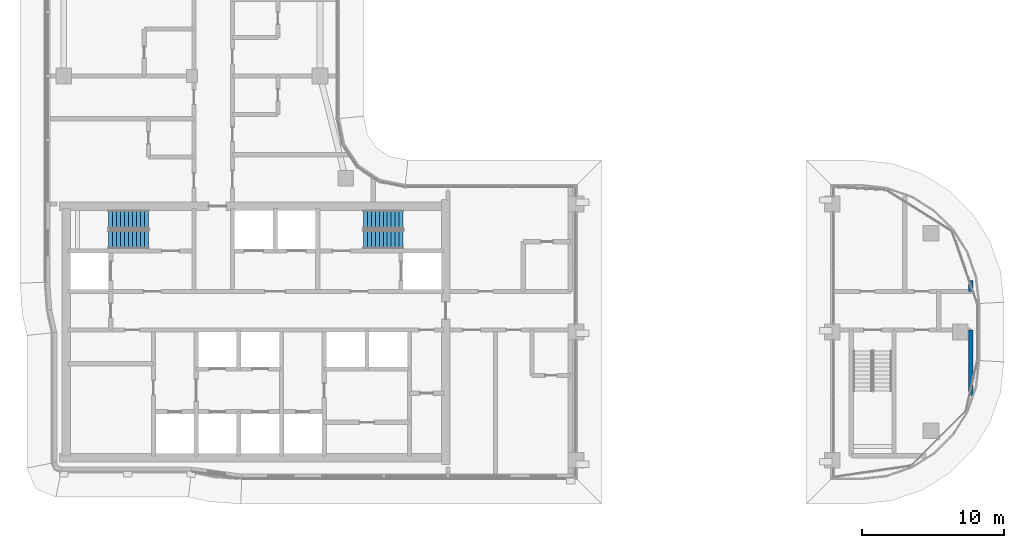
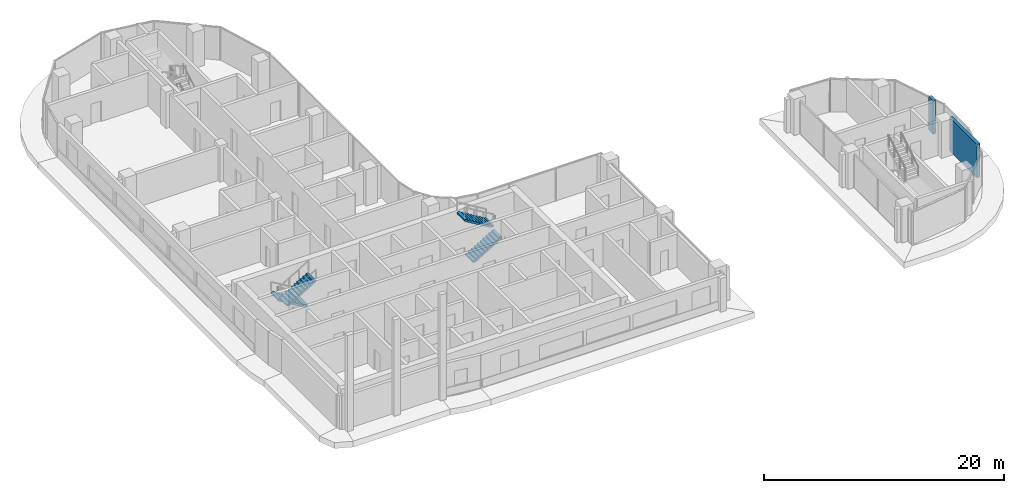
# One storey, part 15 of 27: 4 stair flights, 2 walls, 2 elements without a shape of their own.
"""IFC4 building model written with IfcOpenShell, lengths in metres."""

from ifc_helpers import new_model, si_unit, direction, frame, frame_2d, origin, place, context, subcontext, project, spatial, rectangle, extrude, triangles, source, transform, mapped, material, layer, layer_set, type_object, element, aggregate, save


model = new_model("IFC4")

# Units and contexts
model_context = context("Model", 3, precision=1e-05, world=origin(), true_north=direction((0.0, 1.0)))
body_context = subcontext(model_context, "Body", "Model", "MODEL_VIEW")
ifc_project = project(units=[si_unit("LENGTHUNIT", "METRE"), si_unit("AREAUNIT", "SQUARE_METRE"), si_unit("VOLUMEUNIT", "CUBIC_METRE"), si_unit("PLANEANGLEUNIT", "RADIAN"), si_unit("MASSUNIT", "GRAM", prefix="KILO")], contexts=[model_context])

# Site, building, storey
site_placement = place(None, origin())
site = spatial("IfcSite", under=ifc_project, at=site_placement, CompositionType="ELEMENT")
building_placement = place(site_placement, origin())
building = spatial("IfcBuilding", under=site, at=building_placement, Name="Ogive Portal Towers", CompositionType="ELEMENT")
storey_placement = place(building_placement, frame((0.0, 0.0, 160.699951171875)))
storey = spatial("IfcBuildingStorey", under=building, at=storey_placement, Name="L39", CompositionType="ELEMENT", Elevation=160.699951171875)

# Walls
ifc_material_1 = material(Name="Gypsum board partition on steel studs", Category="steel")
ifc_layer = layer(ifc_material_1, 0.300048828125)
ifc_layer_set = layer_set([ifc_layer], Name="WT-PART-300-EI 60")
wall_type = type_object("IfcWallType", Name="WT-PART-300-EI 60", PredefinedType="PARTITIONING", material=ifc_layer_set)
wall_1_placement = place(storey_placement, frame((95.25, 26.033935546875, 0.0), z_axis=(0.0, 0.0, 1.0), x_axis=(0.0, 1.0, 0.0)))
element("IfcWall", 1, at=wall_1_placement, inside=storey, type_object=wall_type, Name="Wall L39:w048", PredefinedType="PARTITIONING", context=body_context, shape_type="SweptSolid", body=[
    extrude(rectangle(XDim=4.615966796875, YDim=0.300048828125, at=frame_2d((2.30810546875, 0.0))), origin(), (0.0, 0.0, 1.0), 3.400146484375),
])
wall_2_placement = place(storey_placement, frame((95.25, 33.35009765625, 0.0), z_axis=(0.0, 0.0, 1.0), x_axis=(0.0, 1.0, 0.0)))
element("IfcWall", 2, at=wall_2_placement, inside=storey, type_object=wall_type, Name="Wall L39:w049", PredefinedType="PARTITIONING", context=body_context, shape_type="SweptSolid", body=[
    extrude(rectangle(XDim=0.77197265625, YDim=0.300048828125, at=frame_2d((0.385986328125, 0.0))), origin(), (0.0, 0.0, 1.0), 3.400146484375),
])

# Stair, stair flights
ifc_material_2 = material(Name="Concrete C40/50", Category="concrete")
stair_type = type_object("IfcStairType", Name="INT-STAIR", PredefinedType="HALF_TURN_STAIR", material=ifc_material_2)
stair_1_placement = place(storey_placement, origin())
stair_1 = element("IfcStair", 3, at=stair_1_placement, inside=storey, type_object=stair_type, Name="L39 Exit Stair ST-A1", PredefinedType="HALF_TURN_STAIR")
stair_flight_type = type_object("IfcStairFlightType", Name="INT-FLIGHT", PredefinedType="STRAIGHT", material=ifc_material_2)
shared_shape = source(origin(), body_context, "Body", "Tessellation", [
    triangles([(0.0, -0.650146484375, 0.0), (0.0, -0.376220703125, 0.0), (0.0, -0.192626953125, 0.0), (0.0, -0.081298828125, 0.0), (0.0, -0.024169921875, 0.0), (0.0, -0.003173828125, 0.0), (0.0, 0.0, 0.0), (0.0, 0.0029296875, 0.0), (0.0, 0.02392578125, 0.0), (0.0, 0.0810546875, 0.0), (0.0, 0.1923828125, 0.0), (0.0, 0.3759765625, 0.0), (0.0, 0.64990234375, 0.0), (0.0, -0.650146484375, 0.168212890625), (0.0, -0.376220703125, 0.168212890625), (0.0, -0.192626953125, 0.168212890625), (0.0, -0.081298828125, 0.168212890625), (0.0, -0.024169921875, 0.168212890625), (0.0, -0.003173828125, 0.168212890625), (0.0, 0.0, 0.168212890625), (0.0, 0.0029296875, 0.168212890625), (0.0, 0.02392578125, 0.168212890625), (0.0, 0.0810546875, 0.168212890625), (0.0, 0.1923828125, 0.168212890625), (0.0, 0.3759765625, 0.168212890625), (0.0, 0.64990234375, 0.168212890625), (0.280029296875, -0.650146484375, 0.168212890625), (0.280029296875, -0.376220703125, 0.168212890625), (0.280029296875, -0.192626953125, 0.168212890625), (0.280029296875, -0.081298828125, 0.168212890625), (0.280029296875, -0.024169921875, 0.168212890625), (0.280029296875, -0.003173828125, 0.168212890625), (0.280029296875, 0.0, 0.168212890625), (0.280029296875, 0.0029296875, 0.168212890625), (0.280029296875, 0.02392578125, 0.168212890625), (0.280029296875, 0.0810546875, 0.168212890625), (0.280029296875, 0.1923828125, 0.168212890625), (0.280029296875, 0.3759765625, 0.168212890625), (0.280029296875, 0.64990234375, 0.168212890625), (0.280029296875, -0.650146484375, 0.33642578125), (0.280029296875, -0.376220703125, 0.33642578125), (0.280029296875, -0.192626953125, 0.33642578125), (0.280029296875, -0.081298828125, 0.33642578125), (0.280029296875, -0.024169921875, 0.33642578125), (0.280029296875, -0.003173828125, 0.33642578125), (0.280029296875, 0.0, 0.33642578125), (0.280029296875, 0.0029296875, 0.33642578125), (0.280029296875, 0.02392578125, 0.33642578125), (0.280029296875, 0.0810546875, 0.33642578125), (0.280029296875, 0.1923828125, 0.33642578125), (0.280029296875, 0.3759765625, 0.33642578125), (0.280029296875, 0.64990234375, 0.33642578125), (0.56005859375, -0.650146484375, 0.33642578125), (0.56005859375, -0.376220703125, 0.33642578125), (0.56005859375, -0.192626953125, 0.33642578125), (0.56005859375, -0.081298828125, 0.33642578125), (0.56005859375, -0.024169921875, 0.33642578125), (0.56005859375, -0.003173828125, 0.33642578125), (0.56005859375, 0.0, 0.33642578125), (0.56005859375, 0.0029296875, 0.33642578125), (0.56005859375, 0.02392578125, 0.33642578125), (0.56005859375, 0.0810546875, 0.33642578125), (0.56005859375, 0.1923828125, 0.33642578125), (0.56005859375, 0.3759765625, 0.33642578125), (0.56005859375, 0.64990234375, 0.33642578125), (0.56005859375, -0.650146484375, 0.504638671875), (0.56005859375, -0.376220703125, 0.504638671875), (0.56005859375, -0.192626953125, 0.504638671875), (0.56005859375, -0.081298828125, 0.504638671875), (0.56005859375, -0.024169921875, 0.504638671875), (0.56005859375, -0.003173828125, 0.504638671875), (0.56005859375, 0.0, 0.504638671875), (0.56005859375, 0.0029296875, 0.504638671875), (0.56005859375, 0.02392578125, 0.504638671875), (0.56005859375, 0.0810546875, 0.504638671875), (0.56005859375, 0.1923828125, 0.504638671875), (0.56005859375, 0.3759765625, 0.504638671875), (0.56005859375, 0.64990234375, 0.504638671875), (0.840087890625, -0.650146484375, 0.504638671875), (0.840087890625, -0.376220703125, 0.504638671875), (0.840087890625, -0.192626953125, 0.504638671875), (0.840087890625, -0.081298828125, 0.504638671875), (0.840087890625, -0.024169921875, 0.504638671875), (0.840087890625, -0.003173828125, 0.504638671875), (0.840087890625, 0.0, 0.504638671875), (0.840087890625, 0.0029296875, 0.504638671875), (0.840087890625, 0.02392578125, 0.504638671875), (0.840087890625, 0.0810546875, 0.504638671875), (0.840087890625, 0.1923828125, 0.504638671875), (0.840087890625, 0.3759765625, 0.504638671875), (0.840087890625, 0.64990234375, 0.504638671875), (0.840087890625, -0.650146484375, 0.672607421875), (0.840087890625, -0.376220703125, 0.672607421875), (0.840087890625, -0.192626953125, 0.672607421875), (0.840087890625, -0.081298828125, 0.672607421875), (0.840087890625, -0.024169921875, 0.672607421875), (0.840087890625, -0.003173828125, 0.672607421875), (0.840087890625, 0.0, 0.672607421875), (0.840087890625, 0.0029296875, 0.672607421875), (0.840087890625, 0.02392578125, 0.672607421875), (0.840087890625, 0.0810546875, 0.672607421875), (0.840087890625, 0.1923828125, 0.672607421875), (0.840087890625, 0.3759765625, 0.672607421875), (0.840087890625, 0.64990234375, 0.672607421875), (1.1201171875, -0.650146484375, 0.672607421875), (1.1201171875, -0.376220703125, 0.672607421875), (1.1201171875, -0.192626953125, 0.672607421875), (1.1201171875, -0.081298828125, 0.672607421875), (1.1201171875, -0.024169921875, 0.672607421875), (1.1201171875, -0.003173828125, 0.672607421875), (1.1201171875, 0.0, 0.672607421875), (1.1201171875, 0.0029296875, 0.672607421875), (1.1201171875, 0.02392578125, 0.672607421875), (1.1201171875, 0.0810546875, 0.672607421875), (1.1201171875, 0.1923828125, 0.672607421875), (1.1201171875, 0.3759765625, 0.672607421875), (1.1201171875, 0.64990234375, 0.672607421875), (1.1201171875, -0.650146484375, 0.8408203125), (1.1201171875, -0.376220703125, 0.8408203125), (1.1201171875, -0.192626953125, 0.8408203125), (1.1201171875, -0.081298828125, 0.8408203125), (1.1201171875, -0.024169921875, 0.8408203125), (1.1201171875, -0.003173828125, 0.8408203125), (1.1201171875, 0.0, 0.8408203125), (1.1201171875, 0.0029296875, 0.8408203125), (1.1201171875, 0.02392578125, 0.8408203125), (1.1201171875, 0.0810546875, 0.8408203125), (1.1201171875, 0.1923828125, 0.8408203125), (1.1201171875, 0.3759765625, 0.8408203125), (1.1201171875, 0.64990234375, 0.8408203125), (1.39990234375, -0.650146484375, 0.8408203125), (1.39990234375, -0.376220703125, 0.8408203125), (1.39990234375, -0.192626953125, 0.8408203125), (1.39990234375, -0.081298828125, 0.8408203125), (1.39990234375, -0.024169921875, 0.8408203125), (1.39990234375, -0.003173828125, 0.8408203125), (1.39990234375, 0.0, 0.8408203125), (1.39990234375, 0.0029296875, 0.8408203125), (1.39990234375, 0.02392578125, 0.8408203125), (1.39990234375, 0.0810546875, 0.8408203125), (1.39990234375, 0.1923828125, 0.8408203125), (1.39990234375, 0.3759765625, 0.8408203125), (1.39990234375, 0.64990234375, 0.8408203125), (1.39990234375, -0.650146484375, 1.009033203125), (1.39990234375, -0.376220703125, 1.009033203125), (1.39990234375, -0.192626953125, 1.009033203125), (1.39990234375, -0.081298828125, 1.009033203125), (1.39990234375, -0.024169921875, 1.009033203125), (1.39990234375, -0.003173828125, 1.009033203125), (1.39990234375, 0.0, 1.009033203125), (1.39990234375, 0.0029296875, 1.009033203125), (1.39990234375, 0.02392578125, 1.009033203125), (1.39990234375, 0.0810546875, 1.009033203125), (1.39990234375, 0.1923828125, 1.009033203125), (1.39990234375, 0.3759765625, 1.009033203125), (1.39990234375, 0.64990234375, 1.009033203125), (1.679931640625, -0.650146484375, 1.009033203125), (1.679931640625, -0.376220703125, 1.009033203125), (1.679931640625, -0.192626953125, 1.009033203125), (1.679931640625, -0.081298828125, 1.009033203125), (1.679931640625, -0.024169921875, 1.009033203125), (1.679931640625, -0.003173828125, 1.009033203125), (1.679931640625, 0.0, 1.009033203125), (1.679931640625, 0.0029296875, 1.009033203125), (1.679931640625, 0.02392578125, 1.009033203125), (1.679931640625, 0.0810546875, 1.009033203125), (1.679931640625, 0.1923828125, 1.009033203125), (1.679931640625, 0.3759765625, 1.009033203125), (1.679931640625, 0.64990234375, 1.009033203125), (1.679931640625, -0.650146484375, 1.17724609375), (1.679931640625, -0.376220703125, 1.17724609375), (1.679931640625, -0.192626953125, 1.17724609375), (1.679931640625, -0.081298828125, 1.17724609375), (1.679931640625, -0.024169921875, 1.17724609375), (1.679931640625, -0.003173828125, 1.17724609375), (1.679931640625, 0.0, 1.17724609375), (1.679931640625, 0.0029296875, 1.17724609375), (1.679931640625, 0.02392578125, 1.17724609375), (1.679931640625, 0.0810546875, 1.17724609375), (1.679931640625, 0.1923828125, 1.17724609375), (1.679931640625, 0.3759765625, 1.17724609375), (1.679931640625, 0.64990234375, 1.17724609375), (1.9599609375, -0.650146484375, 1.17724609375), (1.9599609375, -0.376220703125, 1.17724609375), (1.9599609375, -0.192626953125, 1.17724609375), (1.9599609375, -0.081298828125, 1.17724609375), (1.9599609375, -0.024169921875, 1.17724609375), (1.9599609375, -0.003173828125, 1.17724609375), (1.9599609375, 0.0, 1.17724609375), (1.9599609375, 0.0029296875, 1.17724609375), (1.9599609375, 0.02392578125, 1.17724609375), (1.9599609375, 0.0810546875, 1.17724609375), (1.9599609375, 0.1923828125, 1.17724609375), (1.9599609375, 0.3759765625, 1.17724609375), (1.9599609375, 0.64990234375, 1.17724609375), (1.9599609375, -0.650146484375, 1.345458984375), (1.9599609375, -0.376220703125, 1.345458984375), (1.9599609375, -0.192626953125, 1.345458984375), (1.9599609375, -0.081298828125, 1.345458984375), (1.9599609375, -0.024169921875, 1.345458984375), (1.9599609375, -0.003173828125, 1.345458984375), (1.9599609375, 0.0, 1.345458984375), (1.9599609375, 0.0029296875, 1.345458984375), (1.9599609375, 0.02392578125, 1.345458984375), (1.9599609375, 0.0810546875, 1.345458984375), (1.9599609375, 0.1923828125, 1.345458984375), (1.9599609375, 0.3759765625, 1.345458984375), (1.9599609375, 0.64990234375, 1.345458984375), (2.239990234375, -0.650146484375, 1.345458984375), (2.239990234375, -0.376220703125, 1.345458984375), (2.239990234375, -0.192626953125, 1.345458984375), (2.239990234375, -0.081298828125, 1.345458984375), (2.239990234375, -0.024169921875, 1.345458984375), (2.239990234375, -0.003173828125, 1.345458984375), (2.239990234375, 0.0, 1.345458984375), (2.239990234375, 0.0029296875, 1.345458984375), (2.239990234375, 0.02392578125, 1.345458984375), (2.239990234375, 0.0810546875, 1.345458984375), (2.239990234375, 0.1923828125, 1.345458984375), (2.239990234375, 0.3759765625, 1.345458984375), (2.239990234375, 0.64990234375, 1.345458984375), (2.239990234375, -0.650146484375, 1.513671875), (2.239990234375, -0.376220703125, 1.513671875), (2.239990234375, -0.192626953125, 1.513671875), (2.239990234375, -0.081298828125, 1.513671875), (2.239990234375, -0.024169921875, 1.513671875), (2.239990234375, -0.003173828125, 1.513671875), (2.239990234375, 0.0, 1.513671875), (2.239990234375, 0.0029296875, 1.513671875), (2.239990234375, 0.02392578125, 1.513671875), (2.239990234375, 0.0810546875, 1.513671875), (2.239990234375, 0.1923828125, 1.513671875), (2.239990234375, 0.3759765625, 1.513671875), (2.239990234375, 0.64990234375, 1.513671875), (2.52001953125, -0.650146484375, 1.513671875), (2.52001953125, -0.376220703125, 1.513671875), (2.52001953125, -0.192626953125, 1.513671875), (2.52001953125, -0.081298828125, 1.513671875), (2.52001953125, -0.024169921875, 1.513671875), (2.52001953125, -0.003173828125, 1.513671875), (2.52001953125, 0.0, 1.513671875), (2.52001953125, 0.0029296875, 1.513671875), (2.52001953125, 0.02392578125, 1.513671875), (2.52001953125, 0.0810546875, 1.513671875), (2.52001953125, 0.1923828125, 1.513671875), (2.52001953125, 0.3759765625, 1.513671875), (2.52001953125, 0.64990234375, 1.513671875), (2.52001953125, -0.650146484375, 1.681884765625), (2.52001953125, -0.376220703125, 1.681884765625), (2.52001953125, -0.192626953125, 1.681884765625), (2.52001953125, -0.081298828125, 1.681884765625), (2.52001953125, -0.024169921875, 1.681884765625), (2.52001953125, -0.003173828125, 1.681884765625), (2.52001953125, 0.0, 1.681884765625), (2.52001953125, 0.0029296875, 1.681884765625), (2.52001953125, 0.02392578125, 1.681884765625), (2.52001953125, 0.0810546875, 1.681884765625), (2.52001953125, 0.1923828125, 1.681884765625), (2.52001953125, 0.3759765625, 1.681884765625), (2.52001953125, 0.64990234375, 1.681884765625), (2.800048828125, -0.650146484375, 1.681884765625), (2.800048828125, -0.376220703125, 1.681884765625), (2.800048828125, -0.192626953125, 1.681884765625), (2.800048828125, -0.081298828125, 1.681884765625), (2.800048828125, -0.024169921875, 1.681884765625), (2.800048828125, -0.003173828125, 1.681884765625), (2.800048828125, 0.0, 1.681884765625), (2.800048828125, 0.0029296875, 1.681884765625), (2.800048828125, 0.02392578125, 1.681884765625), (2.800048828125, 0.0810546875, 1.681884765625), (2.800048828125, 0.1923828125, 1.681884765625), (2.800048828125, 0.3759765625, 1.681884765625), (2.800048828125, 0.64990234375, 1.681884765625), (2.800048828125, -0.650146484375, 1.5068359375), (2.800048828125, -0.376220703125, 1.5068359375), (2.800048828125, -0.192626953125, 1.5068359375), (2.800048828125, -0.081298828125, 1.5068359375), (2.800048828125, -0.024169921875, 1.5068359375), (2.800048828125, -0.003173828125, 1.5068359375), (2.800048828125, 0.0, 1.5068359375), (2.800048828125, 0.0029296875, 1.5068359375), (2.800048828125, 0.02392578125, 1.5068359375), (2.800048828125, 0.0810546875, 1.5068359375), (2.800048828125, 0.1923828125, 1.5068359375), (2.800048828125, 0.3759765625, 1.5068359375), (2.800048828125, 0.64990234375, 1.5068359375), (0.291015625, -0.650146484375, 0.0), (0.291015625, -0.376220703125, 0.0), (0.291015625, -0.192626953125, 0.0), (0.291015625, -0.081298828125, 0.0), (0.291015625, -0.024169921875, 0.0), (0.291015625, -0.003173828125, 0.0), (0.291015625, 0.0, 0.0), (0.291015625, 0.0029296875, 0.0), (0.291015625, 0.02392578125, 0.0), (0.291015625, 0.0810546875, 0.0), (0.291015625, 0.1923828125, 0.0), (0.291015625, 0.3759765625, 0.0), (0.291015625, 0.64990234375, 0.0)], [[1, 14, 15], [1, 15, 2], [2, 15, 16], [2, 16, 3], [3, 16, 17], [3, 17, 4], [4, 17, 18], [4, 18, 5], [5, 18, 19], [5, 19, 6], [6, 19, 20], [6, 20, 7], [7, 20, 21], [7, 21, 8], [8, 21, 22], [8, 22, 9], [9, 22, 23], [9, 23, 10], [10, 23, 24], [10, 24, 11], [11, 24, 25], [11, 25, 12], [12, 25, 26], [12, 26, 13], [14, 27, 28], [14, 28, 15], [15, 28, 29], [15, 29, 16], [16, 29, 30], [16, 30, 17], [17, 30, 31], [17, 31, 18], [18, 31, 32], [18, 32, 19], [19, 32, 33], [19, 33, 20], [20, 33, 34], [20, 34, 21], [21, 34, 35], [21, 35, 22], [22, 35, 36], [22, 36, 23], [23, 36, 37], [23, 37, 24], [24, 37, 38], [24, 38, 25], [25, 38, 39], [25, 39, 26], [27, 40, 41], [27, 41, 28], [28, 41, 42], [28, 42, 29], [29, 42, 43], [29, 43, 30], [30, 43, 44], [30, 44, 31], [31, 44, 45], [31, 45, 32], [32, 45, 46], [32, 46, 33], [33, 46, 47], [33, 47, 34], [34, 47, 48], [34, 48, 35], [35, 48, 49], [35, 49, 36], [36, 49, 50], [36, 50, 37], [37, 50, 51], [37, 51, 38], [38, 51, 52], [38, 52, 39], [40, 53, 54], [40, 54, 41], [41, 54, 55], [41, 55, 42], [42, 55, 56], [42, 56, 43], [43, 56, 57], [43, 57, 44], [44, 57, 58], [44, 58, 45], [45, 58, 59], [45, 59, 46], [46, 59, 60], [46, 60, 47], [47, 60, 61], [47, 61, 48], [48, 61, 62], [48, 62, 49], [49, 62, 63], [49, 63, 50], [50, 63, 64], [50, 64, 51], [51, 64, 65], [51, 65, 52], [53, 66, 67], [53, 67, 54], [54, 67, 68], [54, 68, 55], [55, 68, 69], [55, 69, 56], [56, 69, 70], [56, 70, 57], [57, 70, 71], [57, 71, 58], [58, 71, 72], [58, 72, 59], [59, 72, 73], [59, 73, 60], [60, 73, 74], [60, 74, 61], [61, 74, 75], [61, 75, 62], [62, 75, 76], [62, 76, 63], [63, 76, 77], [63, 77, 64], [64, 77, 78], [64, 78, 65], [66, 79, 80], [66, 80, 67], [67, 80, 81], [67, 81, 68], [68, 81, 82], [68, 82, 69], [69, 82, 83], [69, 83, 70], [70, 83, 84], [70, 84, 71], [71, 84, 85], [71, 85, 72], [72, 85, 86], [72, 86, 73], [73, 86, 87], [73, 87, 74], [74, 87, 88], [74, 88, 75], [75, 88, 89], [75, 89, 76], [76, 89, 90], [76, 90, 77], [77, 90, 91], [77, 91, 78], [79, 92, 93], [79, 93, 80], [80, 93, 94], [80, 94, 81], [81, 94, 95], [81, 95, 82], [82, 95, 96], [82, 96, 83], [83, 96, 97], [83, 97, 84], [84, 97, 98], [84, 98, 85], [85, 98, 99], [85, 99, 86], [86, 99, 100], [86, 100, 87], [87, 100, 101], [87, 101, 88], [88, 101, 102], [88, 102, 89], [89, 102, 103], [89, 103, 90], [90, 103, 104], [90, 104, 91], [92, 105, 106], [92, 106, 93], [93, 106, 107], [93, 107, 94], [94, 107, 108], [94, 108, 95], [95, 108, 109], [95, 109, 96], [96, 109, 110], [96, 110, 97], [97, 110, 111], [97, 111, 98], [98, 111, 112], [98, 112, 99], [99, 112, 113], [99, 113, 100], [100, 113, 114], [100, 114, 101], [101, 114, 115], [101, 115, 102], [102, 115, 116], [102, 116, 103], [103, 116, 117], [103, 117, 104], [105, 118, 119], [105, 119, 106], [106, 119, 120], [106, 120, 107], [107, 120, 121], [107, 121, 108], [108, 121, 122], [108, 122, 109], [109, 122, 123], [109, 123, 110], [110, 123, 124], [110, 124, 111], [111, 124, 125], [111, 125, 112], [112, 125, 126], [112, 126, 113], [113, 126, 127], [113, 127, 114], [114, 127, 128], [114, 128, 115], [115, 128, 129], [115, 129, 116], [116, 129, 130], [116, 130, 117], [118, 131, 132], [118, 132, 119], [119, 132, 133], [119, 133, 120], [120, 133, 134], [120, 134, 121], [121, 134, 135], [121, 135, 122], [122, 135, 136], [122, 136, 123], [123, 136, 137], [123, 137, 124], [124, 137, 138], [124, 138, 125], [125, 138, 139], [125, 139, 126], [126, 139, 140], [126, 140, 127], [127, 140, 141], [127, 141, 128], [128, 141, 142], [128, 142, 129], [129, 142, 143], [129, 143, 130], [131, 144, 145], [131, 145, 132], [132, 145, 146], [132, 146, 133], [133, 146, 147], [133, 147, 134], [134, 147, 148], [134, 148, 135], [135, 148, 149], [135, 149, 136], [136, 149, 150], [136, 150, 137], [137, 150, 151], [137, 151, 138], [138, 151, 152], [138, 152, 139], [139, 152, 153], [139, 153, 140], [140, 153, 154], [140, 154, 141], [141, 154, 155], [141, 155, 142], [142, 155, 156], [142, 156, 143], [144, 157, 158], [144, 158, 145], [145, 158, 159], [145, 159, 146], [146, 159, 160], [146, 160, 147], [147, 160, 161], [147, 161, 148], [148, 161, 162], [148, 162, 149], [149, 162, 163], [149, 163, 150], [150, 163, 164], [150, 164, 151], [151, 164, 165], [151, 165, 152], [152, 165, 166], [152, 166, 153], [153, 166, 167], [153, 167, 154], [154, 167, 168], [154, 168, 155], [155, 168, 169], [155, 169, 156], [157, 170, 171], [157, 171, 158], [158, 171, 172], [158, 172, 159], [159, 172, 173], [159, 173, 160], [160, 173, 174], [160, 174, 161], [161, 174, 175], [161, 175, 162], [162, 175, 176], [162, 176, 163], [163, 176, 177], [163, 177, 164], [164, 177, 178], [164, 178, 165], [165, 178, 179], [165, 179, 166], [166, 179, 180], [166, 180, 167], [167, 180, 181], [167, 181, 168], [168, 181, 182], [168, 182, 169], [170, 183, 184], [170, 184, 171], [171, 184, 185], [171, 185, 172], [172, 185, 186], [172, 186, 173], [173, 186, 187], [173, 187, 174], [174, 187, 188], [174, 188, 175], [175, 188, 189], [175, 189, 176], [176, 189, 190], [176, 190, 177], [177, 190, 191], [177, 191, 178], [178, 191, 192], [178, 192, 179], [179, 192, 193], [179, 193, 180], [180, 193, 194], [180, 194, 181], [181, 194, 195], [181, 195, 182], [183, 196, 197], [183, 197, 184], [184, 197, 198], [184, 198, 185], [185, 198, 199], [185, 199, 186], [186, 199, 200], [186, 200, 187], [187, 200, 201], [187, 201, 188], [188, 201, 202], [188, 202, 189], [189, 202, 203], [189, 203, 190], [190, 203, 204], [190, 204, 191], [191, 204, 205], [191, 205, 192], [192, 205, 206], [192, 206, 193], [193, 206, 207], [193, 207, 194], [194, 207, 208], [194, 208, 195], [196, 209, 210], [196, 210, 197], [197, 210, 211], [197, 211, 198], [198, 211, 212], [198, 212, 199], [199, 212, 213], [199, 213, 200], [200, 213, 214], [200, 214, 201], [201, 214, 215], [201, 215, 202], [202, 215, 216], [202, 216, 203], [203, 216, 217], [203, 217, 204], [204, 217, 218], [204, 218, 205], [205, 218, 219], [205, 219, 206], [206, 219, 220], [206, 220, 207], [207, 220, 221], [207, 221, 208], [209, 222, 223], [209, 223, 210], [210, 223, 224], [210, 224, 211], [211, 224, 225], [211, 225, 212], [212, 225, 226], [212, 226, 213], [213, 226, 227], [213, 227, 214], [214, 227, 228], [214, 228, 215], [215, 228, 229], [215, 229, 216], [216, 229, 230], [216, 230, 217], [217, 230, 231], [217, 231, 218], [218, 231, 232], [218, 232, 219], [219, 232, 233], [219, 233, 220], [220, 233, 234], [220, 234, 221], [222, 235, 236], [222, 236, 223], [223, 236, 237], [223, 237, 224], [224, 237, 238], [224, 238, 225], [225, 238, 239], [225, 239, 226], [226, 239, 240], [226, 240, 227], [227, 240, 241], [227, 241, 228], [228, 241, 242], [228, 242, 229], [229, 242, 243], [229, 243, 230], [230, 243, 244], [230, 244, 231], [231, 244, 245], [231, 245, 232], [232, 245, 246], [232, 246, 233], [233, 246, 247], [233, 247, 234], [235, 248, 249], [235, 249, 236], [236, 249, 250], [236, 250, 237], [237, 250, 251], [237, 251, 238], [238, 251, 252], [238, 252, 239], [239, 252, 253], [239, 253, 240], [240, 253, 254], [240, 254, 241], [241, 254, 255], [241, 255, 242], [242, 255, 256], [242, 256, 243], [243, 256, 257], [243, 257, 244], [244, 257, 258], [244, 258, 245], [245, 258, 259], [245, 259, 246], [246, 259, 260], [246, 260, 247], [248, 261, 262], [248, 262, 249], [249, 262, 263], [249, 263, 250], [250, 263, 264], [250, 264, 251], [251, 264, 265], [251, 265, 252], [252, 265, 266], [252, 266, 253], [253, 266, 267], [253, 267, 254], [254, 267, 268], [254, 268, 255], [255, 268, 269], [255, 269, 256], [256, 269, 270], [256, 270, 257], [257, 270, 271], [257, 271, 258], [258, 271, 272], [258, 272, 259], [259, 272, 273], [259, 273, 260], [261, 274, 275], [261, 275, 262], [262, 275, 276], [262, 276, 263], [263, 276, 277], [263, 277, 264], [264, 277, 278], [264, 278, 265], [265, 278, 279], [265, 279, 266], [266, 279, 280], [266, 280, 267], [267, 280, 281], [267, 281, 268], [268, 281, 282], [268, 282, 269], [269, 282, 283], [269, 283, 270], [270, 283, 284], [270, 284, 271], [271, 284, 285], [271, 285, 272], [272, 285, 286], [272, 286, 273], [274, 287, 288], [274, 288, 275], [275, 288, 289], [275, 289, 276], [276, 289, 290], [276, 290, 277], [277, 290, 291], [277, 291, 278], [278, 291, 292], [278, 292, 279], [279, 292, 293], [279, 293, 280], [280, 293, 294], [280, 294, 281], [281, 294, 295], [281, 295, 282], [282, 295, 296], [282, 296, 283], [283, 296, 297], [283, 297, 284], [284, 297, 298], [284, 298, 285], [285, 298, 299], [285, 299, 286], [287, 1, 2], [287, 2, 288], [288, 2, 3], [288, 3, 289], [289, 3, 4], [289, 4, 290], [290, 4, 5], [290, 5, 291], [291, 5, 6], [291, 6, 292], [292, 6, 7], [292, 7, 293], [293, 7, 8], [293, 8, 294], [294, 8, 9], [294, 9, 295], [295, 9, 10], [295, 10, 296], [296, 10, 11], [296, 11, 297], [297, 11, 12], [297, 12, 298], [298, 12, 13], [298, 13, 299], [1, 287, 274], [13, 286, 299], [274, 261, 248], [286, 260, 273], [274, 248, 235], [286, 247, 260], [274, 235, 222], [286, 234, 247], [274, 222, 209], [286, 221, 234], [209, 196, 183], [221, 195, 208], [274, 209, 183], [286, 195, 221], [183, 170, 157], [195, 169, 182], [274, 183, 157], [286, 169, 195], [157, 144, 131], [169, 143, 156], [274, 157, 131], [286, 143, 169], [131, 118, 105], [143, 117, 130], [274, 131, 105], [286, 117, 143], [1, 274, 105], [13, 117, 286], [105, 92, 79], [117, 91, 104], [79, 66, 53], [91, 65, 78], [105, 79, 53], [117, 65, 91], [53, 40, 27], [65, 39, 52], [105, 53, 27], [117, 39, 65], [1, 105, 27], [13, 39, 117], [27, 14, 1], [39, 13, 26]], closed=True),
])
stair_flight_1_placement = place(storey_placement, frame((37.449951171875, 38.39990234375, 0.0), z_axis=(0.0, 0.0, 1.0), x_axis=(-1.0, 0.0, 0.0)))
stair_flight_1 = element("IfcStairFlight", 4, at=stair_flight_1_placement, type_object=stair_flight_type, Name="ST-A1 flight 1", NumberOfRisers=11, NumberOfTreads=10, PredefinedType="STRAIGHT", RiserHeight=0.168181818, TreadLength=0.28, context=body_context, shape_type="MappedRepresentation", body=[
    mapped(shared_shape, transform((0.0, 0.0, 0.0), scale=1.0)),
])
stair_flight_2_placement = place(storey_placement, frame((34.64990234375, 37.0, 1.85009765625), z_axis=(0.0, 0.0, 1.0), x_axis=(1.0, 0.0, 0.0)))
stair_flight_2 = element("IfcStairFlight", 5, at=stair_flight_2_placement, type_object=stair_flight_type, Name="ST-A1 flight 2", NumberOfRisers=11, NumberOfTreads=10, PredefinedType="STRAIGHT", RiserHeight=0.168181818, TreadLength=0.28, context=body_context, shape_type="MappedRepresentation", body=[
    mapped(shared_shape, transform((0.0, 0.0, 0.0), scale=1.0)),
])
aggregate(stair_1, [stair_flight_1, stair_flight_2])

stair_2_placement = place(storey_placement, origin())
stair_2 = element("IfcStair", 6, at=stair_2_placement, inside=storey, type_object=stair_type, Name="L39 Exit Stair ST-A2", PredefinedType="HALF_TURN_STAIR")
stair_flight_3_placement = place(storey_placement, frame((52.550048828125, 37.0, 0.0), z_axis=(0.0, 0.0, 1.0), x_axis=(1.0, 0.0, 0.0)))
stair_flight_3 = element("IfcStairFlight", 7, at=stair_flight_3_placement, type_object=stair_flight_type, Name="ST-A2 flight 1", NumberOfRisers=11, NumberOfTreads=10, PredefinedType="STRAIGHT", RiserHeight=0.168181818, TreadLength=0.28, context=body_context, shape_type="MappedRepresentation", body=[
    mapped(shared_shape, transform((0.0, 0.0, 0.0), scale=1.0)),
])
stair_flight_4_placement = place(storey_placement, frame((55.35009765625, 38.39990234375, 1.85009765625), z_axis=(0.0, 0.0, 1.0), x_axis=(-1.0, 0.0, 0.0)))
stair_flight_4 = element("IfcStairFlight", 8, at=stair_flight_4_placement, type_object=stair_flight_type, Name="ST-A2 flight 2", NumberOfRisers=11, NumberOfTreads=10, PredefinedType="STRAIGHT", RiserHeight=0.168181818, TreadLength=0.28, context=body_context, shape_type="MappedRepresentation", body=[
    mapped(shared_shape, transform((0.0, 0.0, 0.0), scale=1.0)),
])
aggregate(stair_2, [stair_flight_3, stair_flight_4])

save(model, "model.ifc")
